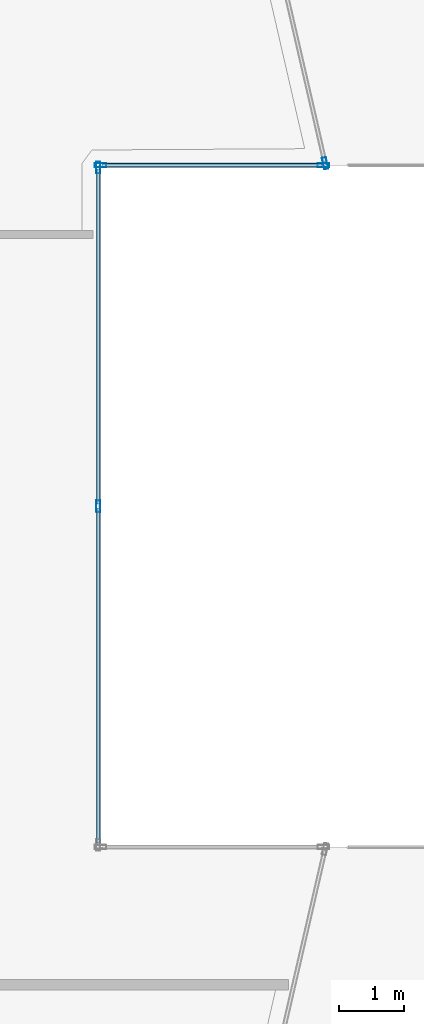
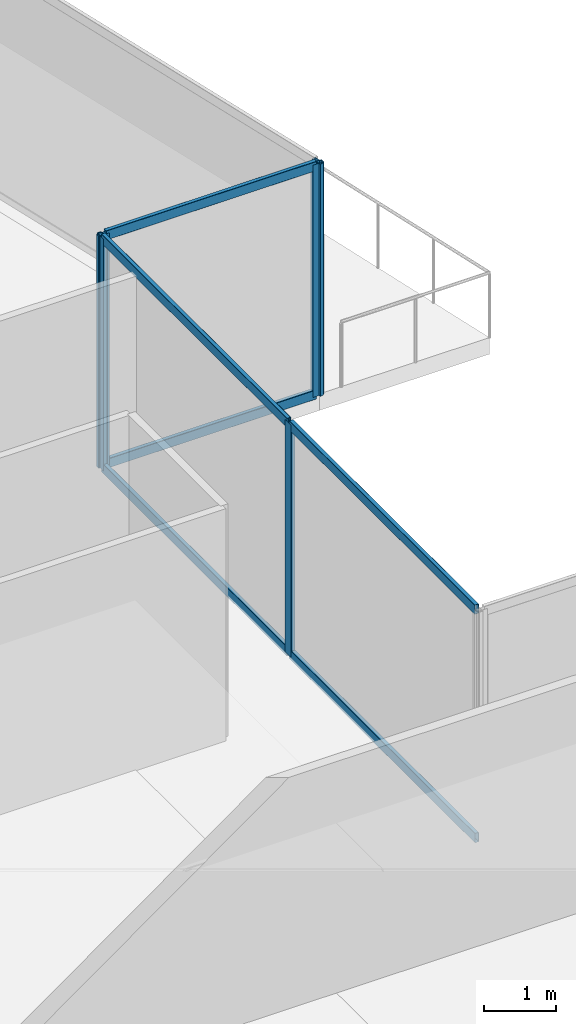
# One storey, part 24 of 44: 11 members, 3 elements without a shape of their own.
"""IFC4 building model written with IfcOpenShell, lengths in metres."""

from ifc_helpers import new_model, si_unit, direction, frame, origin, origin_2d, place, context, subcontext, project, spatial, hollow_rectangle, extrude, material, layer, layer_set, material_profile, profile_set, type_object, element, aggregate, save


model = new_model("IFC4")

# Units and contexts
model_context = context("Model", 3, precision=1e-05, world=origin(), true_north=direction((0.0, 1.0)))
body_context = subcontext(model_context, "Body", "Model", "MODEL_VIEW")
ifc_project = project(units=[si_unit("LENGTHUNIT", "METRE"), si_unit("AREAUNIT", "SQUARE_METRE"), si_unit("VOLUMEUNIT", "CUBIC_METRE"), si_unit("PLANEANGLEUNIT", "RADIAN"), si_unit("MASSUNIT", "GRAM", prefix="KILO")], contexts=[model_context])

# Site, building, storey
site_placement = place(None, origin())
site = spatial("IfcSite", under=ifc_project, at=site_placement, CompositionType="ELEMENT")
building_placement = place(site_placement, origin())
building = spatial("IfcBuilding", under=site, at=building_placement, Name="Qorvath Tower", CompositionType="ELEMENT")
storey_placement = place(building_placement, frame((0.0, 0.0, 70.199951171875)))
storey = spatial("IfcBuildingStorey", under=building, at=storey_placement, Name="L15", CompositionType="ELEMENT", Elevation=70.199951171875)

# Curtain wall, members
ifc_material_1 = material(Name="Anodised aluminium and triple low-E glass", Category="aluminium")
ifc_layer = layer(ifc_material_1, 0.179931640625)
ifc_layer_set = layer_set([ifc_layer], Name="CW-SYS-2")
curtain_wall_type = type_object("IfcCurtainWallType", Name="CW-SYS-2", PredefinedType="NOTDEFINED", material=ifc_layer_set)
curtain_wall_1_placement = place(storey_placement, origin())
curtain_wall_1 = element("IfcCurtainWall", 1, at=curtain_wall_1_placement, inside=storey, type_object=curtain_wall_type, Name="Curtain Wall CW-2 CW-T-L15-9.1", PredefinedType="NOTDEFINED")
ifc_material_2 = material(Name="Anodised aluminium 6063-T6", Category="aluminium")
ifc_material_profile_1 = material_profile(ifc_material_2, hollow_rectangle(XDim=0.06494140625, YDim=0.179931640625, WallThickness=0.00341796875, InnerFilletRadius=0.00341796875, OuterFilletRadius=0.007080078125, at=origin_2d()), Name="CWM 180x65")
ifc_profile_set_1 = profile_set([ifc_material_profile_1], Name="Anodised aluminium 6063-T6")
member_type_1 = type_object("IfcMemberType", Name="CWM-180", PredefinedType="MULLION", material=ifc_profile_set_1)
member_1_placement = place(storey_placement, frame((2.95751953125, 0.0, 0.0), z_axis=(0.0, 0.0, 1.0), x_axis=(-1.0, 0.0, 0.0)))
member_1 = element("IfcMember", 2, at=member_1_placement, type_object=member_type_1, Name="CW-2 mullion 2", PredefinedType="MULLION", context=body_context, shape_type="SweptSolid", body=[
    extrude(hollow_rectangle(XDim=0.06494140625, YDim=0.179931640625, WallThickness=0.00341796875, InnerFilletRadius=0.00341796875, OuterFilletRadius=0.007080078125, at=origin_2d()), origin(), (0.0, 0.0, 1.0), 3.920166015625),
])
member_2_placement = place(storey_placement, frame((2.95751953125, 5.19482421875, 0.0), z_axis=(0.0, 0.0, 1.0), x_axis=(-1.0, 0.0, 0.0)))
member_2 = element("IfcMember", 3, at=member_2_placement, type_object=member_type_1, Name="CW-2 mullion 3", PredefinedType="MULLION", context=body_context, shape_type="SweptSolid", body=[
    extrude(hollow_rectangle(XDim=0.06494140625, YDim=0.179931640625, WallThickness=0.00341796875, InnerFilletRadius=0.00341796875, OuterFilletRadius=0.007080078125, at=origin_2d()), origin(), (0.0, 0.0, 1.0), 3.920166015625),
])

curtain_wall_2_placement = place(storey_placement, origin())
curtain_wall_2 = element("IfcCurtainWall", 4, at=curtain_wall_2_placement, inside=storey, type_object=curtain_wall_type, Name="Curtain Wall CW-2 CW-T-L15-10.1", PredefinedType="NOTDEFINED")
member_3_placement = place(storey_placement, frame((2.989990234375, 5.227294921875, 0.0), z_axis=(0.0, 0.0, 1.0), x_axis=(0.0, 1.0, 0.0)))
member_3 = element("IfcMember", 5, at=member_3_placement, type_object=member_type_1, Name="CW-2 mullion 1", PredefinedType="MULLION", context=body_context, shape_type="SweptSolid", body=[
    extrude(hollow_rectangle(XDim=0.06494140625, YDim=0.179931640625, WallThickness=0.00341796875, InnerFilletRadius=0.00341796875, OuterFilletRadius=0.007080078125, at=origin_2d()), origin(), (0.0, 0.0, 1.0), 3.920166015625),
])
member_4_placement = place(storey_placement, frame((6.409912109375, 5.227294921875, 0.0), z_axis=(0.0, 0.0, 1.0), x_axis=(0.0, 1.0, 0.0)))
member_4 = element("IfcMember", 6, at=member_4_placement, type_object=member_type_1, Name="CW-2 mullion 2", PredefinedType="MULLION", context=body_context, shape_type="SweptSolid", body=[
    extrude(hollow_rectangle(XDim=0.06494140625, YDim=0.179931640625, WallThickness=0.00341796875, InnerFilletRadius=0.00341796875, OuterFilletRadius=0.007080078125, at=origin_2d()), origin(), (0.0, 0.0, 1.0), 3.920166015625),
])

# Curtain wall, member
curtain_wall_3_placement = place(storey_placement, origin())
curtain_wall_3 = element("IfcCurtainWall", 7, at=curtain_wall_3_placement, inside=storey, type_object=curtain_wall_type, Name="Curtain Wall CW-2 CW-T-L15-11.1", PredefinedType="NOTDEFINED")
member_5_placement = place(storey_placement, frame((6.43505859375, 5.259033203125, 0.0), z_axis=(0.0, 0.0, 1.0), x_axis=(-0.974413360078, -0.224763439425, 0.0)))
member_5 = element("IfcMember", 8, at=member_5_placement, type_object=member_type_1, Name="CW-2 mullion 1", PredefinedType="MULLION", context=body_context, shape_type="SweptSolid", body=[
    extrude(hollow_rectangle(XDim=0.06494140625, YDim=0.179931640625, WallThickness=0.00341796875, InnerFilletRadius=0.00341796875, OuterFilletRadius=0.007080078125, at=origin_2d()), origin(), (0.0, 0.0, 1.0), 3.920166015625),
])
aggregate(curtain_wall_3, [member_5])

# Member
ifc_material_3 = material(Name="Anodised aluminium 6063-T6", Category="aluminium")
ifc_material_profile_2 = material_profile(ifc_material_3, hollow_rectangle(XDim=0.06494140625, YDim=0.159912109375, WallThickness=0.00341796875, InnerFilletRadius=0.00341796875, OuterFilletRadius=0.007080078125, at=origin_2d()), Name="CWT 160x65")
ifc_profile_set_2 = profile_set([ifc_material_profile_2], Name="Anodised aluminium 6063-T6")
member_type_2 = type_object("IfcMemberType", Name="CWT-160", PredefinedType="USERDEFINED", material=ifc_profile_set_2)
member_6_placement = place(storey_placement, frame((2.95751953125, -5.162353515625, 0.032470703125), z_axis=(0.0, 1.0, 0.0), x_axis=(-1.0, 0.0, 0.0)))
member_6 = element("IfcMember", 9, at=member_6_placement, type_object=member_type_2, Name="CW-2 transom 1.1", ObjectType="TRANSOM", PredefinedType="USERDEFINED", context=body_context, shape_type="SweptSolid", body=[
    extrude(hollow_rectangle(XDim=0.06494140625, YDim=0.159912109375, WallThickness=0.00341796875, InnerFilletRadius=0.00341796875, OuterFilletRadius=0.007080078125, at=origin_2d()), origin(), (0.0, 0.0, 1.0), 5.1298828125),
])

member_7_placement = place(storey_placement, frame((2.95751953125, -5.162353515625, 3.8876953125), z_axis=(0.0, 1.0, 0.0), x_axis=(-1.0, 0.0, 0.0)))
member_7 = element("IfcMember", 10, at=member_7_placement, type_object=member_type_2, Name="CW-2 transom 1.2", ObjectType="TRANSOM", PredefinedType="USERDEFINED", context=body_context, shape_type="SweptSolid", body=[
    extrude(hollow_rectangle(XDim=0.06494140625, YDim=0.159912109375, WallThickness=0.00341796875, InnerFilletRadius=0.00341796875, OuterFilletRadius=0.007080078125, at=origin_2d()), origin(), (0.0, 0.0, 1.0), 5.1298828125),
])

member_8_placement = place(storey_placement, frame((2.95751953125, 0.032470703125, 0.032470703125), z_axis=(0.0, 1.0, 0.0), x_axis=(-1.0, 0.0, 0.0)))
member_8 = element("IfcMember", 11, at=member_8_placement, type_object=member_type_2, Name="CW-2 transom 2.1", ObjectType="TRANSOM", PredefinedType="USERDEFINED", context=body_context, shape_type="SweptSolid", body=[
    extrude(hollow_rectangle(XDim=0.06494140625, YDim=0.159912109375, WallThickness=0.00341796875, InnerFilletRadius=0.00341796875, OuterFilletRadius=0.007080078125, at=origin_2d()), origin(), (0.0, 0.0, 1.0), 5.1298828125),
])

member_9_placement = place(storey_placement, frame((2.95751953125, 0.032470703125, 3.8876953125), z_axis=(0.0, 1.0, 0.0), x_axis=(-1.0, 0.0, 0.0)))
member_9 = element("IfcMember", 12, at=member_9_placement, type_object=member_type_2, Name="CW-2 transom 2.2", ObjectType="TRANSOM", PredefinedType="USERDEFINED", context=body_context, shape_type="SweptSolid", body=[
    extrude(hollow_rectangle(XDim=0.06494140625, YDim=0.159912109375, WallThickness=0.00341796875, InnerFilletRadius=0.00341796875, OuterFilletRadius=0.007080078125, at=origin_2d()), origin(), (0.0, 0.0, 1.0), 5.1298828125),
])

aggregate(curtain_wall_1, [member_1, member_2, member_6, member_7, member_8, member_9])

member_10_placement = place(storey_placement, frame((3.0224609375, 5.227294921875, 0.032470703125), z_axis=(1.0, 0.0, 0.0), x_axis=(0.0, 1.0, 0.0)))
member_10 = element("IfcMember", 13, at=member_10_placement, type_object=member_type_2, Name="CW-2 transom 1.1", ObjectType="TRANSOM", PredefinedType="USERDEFINED", context=body_context, shape_type="SweptSolid", body=[
    extrude(hollow_rectangle(XDim=0.06494140625, YDim=0.159912109375, WallThickness=0.00341796875, InnerFilletRadius=0.00341796875, OuterFilletRadius=0.007080078125, at=origin_2d()), origin(), (0.0, 0.0, 1.0), 3.35498046875),
])

member_11_placement = place(storey_placement, frame((3.0224609375, 5.227294921875, 3.8876953125), z_axis=(1.0, 0.0, 0.0), x_axis=(0.0, 1.0, 0.0)))
member_11 = element("IfcMember", 14, at=member_11_placement, type_object=member_type_2, Name="CW-2 transom 1.2", ObjectType="TRANSOM", PredefinedType="USERDEFINED", context=body_context, shape_type="SweptSolid", body=[
    extrude(hollow_rectangle(XDim=0.06494140625, YDim=0.159912109375, WallThickness=0.00341796875, InnerFilletRadius=0.00341796875, OuterFilletRadius=0.007080078125, at=origin_2d()), origin(), (0.0, 0.0, 1.0), 3.35498046875),
])

aggregate(curtain_wall_2, [member_3, member_4, member_10, member_11])

save(model, "model.ifc")
